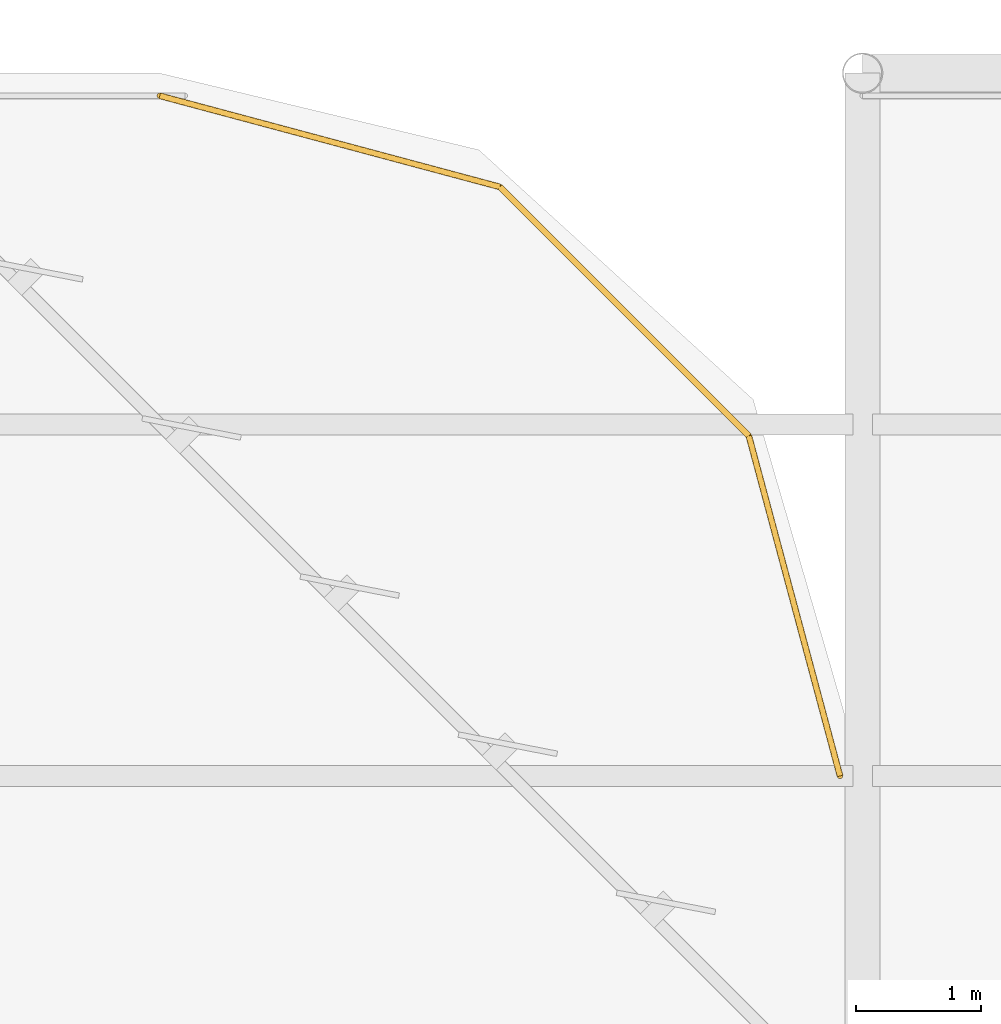
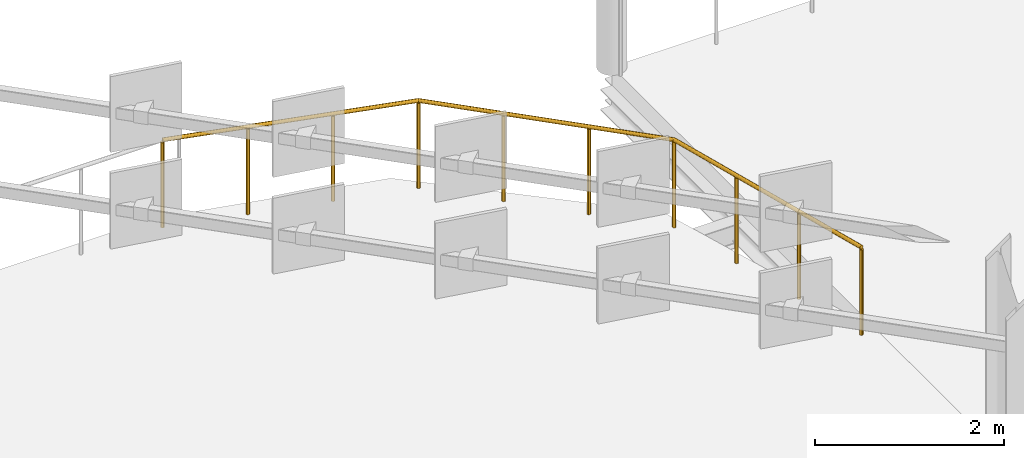
# One storey, part 69 of 69: 1 railing.
"""IFC4 building model written with IfcOpenShell, lengths in metres."""

from ifc_helpers import new_model, si_unit, direction, frame, origin, origin_2d, place, context, subcontext, project, spatial, circle, extrude, material, type_object, element, save


model = new_model("IFC4")

# Units and contexts
model_context = context("Model", 3, precision=1e-05, world=origin(), true_north=direction((0.0, 1.0)))
body_context = subcontext(model_context, "Body", "Model", "MODEL_VIEW")
ifc_project = project(units=[si_unit("LENGTHUNIT", "METRE"), si_unit("AREAUNIT", "SQUARE_METRE"), si_unit("VOLUMEUNIT", "CUBIC_METRE"), si_unit("PLANEANGLEUNIT", "RADIAN"), si_unit("MASSUNIT", "GRAM", prefix="KILO")], contexts=[model_context])

# Site, building, storey
site_placement = place(None, origin())
site = spatial("IfcSite", under=ifc_project, at=site_placement, CompositionType="ELEMENT")
building_placement = place(site_placement, origin())
building = spatial("IfcBuilding", under=site, at=building_placement, Name="Qalvenar Corner Mobility Hub", CompositionType="ELEMENT")
storey_placement = place(building_placement, frame((0.0, 0.0, 13.199951171875)))
storey = spatial("IfcBuildingStorey", under=building, at=storey_placement, Name="L03", CompositionType="ELEMENT", Elevation=13.199951171875)

# Railing
ifc_material = material(Name="Galvanised Steel Deck Edge Barrier", Category="steel")
railing_type = type_object("IfcRailingType", Name="RL-GUARD-115", PredefinedType="GUARDRAIL", material=ifc_material)
railing_placement = place(storey_placement, frame((142.6201171875, 112.0, 0.0)))
element("IfcRailing", 1, at=railing_placement, inside=storey, type_object=railing_type, Name="Rounded Corner Barrier L03-NE", PredefinedType="GUARDRAIL", context=body_context, shape_type="SweptSolid", body=[
    extrude(circle(Radius=0.02392578125, at=origin_2d()), frame((0.0, 0.0, 1.1259765625), z_axis=(-0.25888107057, 0.965909204481, 0.0), x_axis=(-0.965909204481, -0.25888107057, 0.0)), (0.0, 0.0, 1.0), 2.8056640625),
    extrude(circle(Radius=0.02392578125, at=origin_2d()), frame((-0.726318359375, 2.7099609375, 1.1259765625), z_axis=(-0.707106781187, 0.707106781187, 0.0), x_axis=(-0.707106781187, -0.707106781187, 0.0)), (0.0, 0.0, 1.0), 2.8056640625),
    extrude(circle(Radius=0.02392578125, at=origin_2d()), frame((-2.710205078125, 4.69384765625, 1.1259765625), z_axis=(-0.965930961109, 0.258799880931, 0.0), x_axis=(-0.258799880931, -0.965930961109, 0.0)), (0.0, 0.0, 1.0), 2.8056640625),
    extrude(circle(Radius=0.02099609375, at=origin_2d()), origin(), (0.0, 0.0, 1.0), 1.101806640625),
    extrude(circle(Radius=0.02099609375, at=origin_2d()), frame((-0.2421875, 0.9033203125, 0.0)), (0.0, 0.0, 1.0), 1.101806640625),
    extrude(circle(Radius=0.02099609375, at=origin_2d()), frame((-0.484130859375, 1.806640625, 0.0)), (0.0, 0.0, 1.0), 1.101806640625),
    extrude(circle(Radius=0.02099609375, at=origin_2d()), frame((-0.726318359375, 2.7099609375, 0.0)), (0.0, 0.0, 1.0), 1.101806640625),
    extrude(circle(Radius=0.02099609375, at=origin_2d()), frame((-1.3876953125, 3.371337890625, 0.0)), (0.0, 0.0, 1.0), 1.101806640625),
    extrude(circle(Radius=0.02099609375, at=origin_2d()), frame((-2.048828125, 4.032470703125, 0.0)), (0.0, 0.0, 1.0), 1.101806640625),
    extrude(circle(Radius=0.02099609375, at=origin_2d()), frame((-2.710205078125, 4.69384765625, 0.0)), (0.0, 0.0, 1.0), 1.101806640625),
    extrude(circle(Radius=0.02099609375, at=origin_2d()), frame((-3.613525390625, 4.935791015625, 0.0)), (0.0, 0.0, 1.0), 1.101806640625),
    extrude(circle(Radius=0.02099609375, at=origin_2d()), frame((-4.516845703125, 5.177978515625, 0.0)), (0.0, 0.0, 1.0), 1.101806640625),
    extrude(circle(Radius=0.02099609375, at=origin_2d()), frame((-5.420166015625, 5.419921875, 0.0)), (0.0, 0.0, 1.0), 1.101806640625),
])

save(model, "model.ifc")
